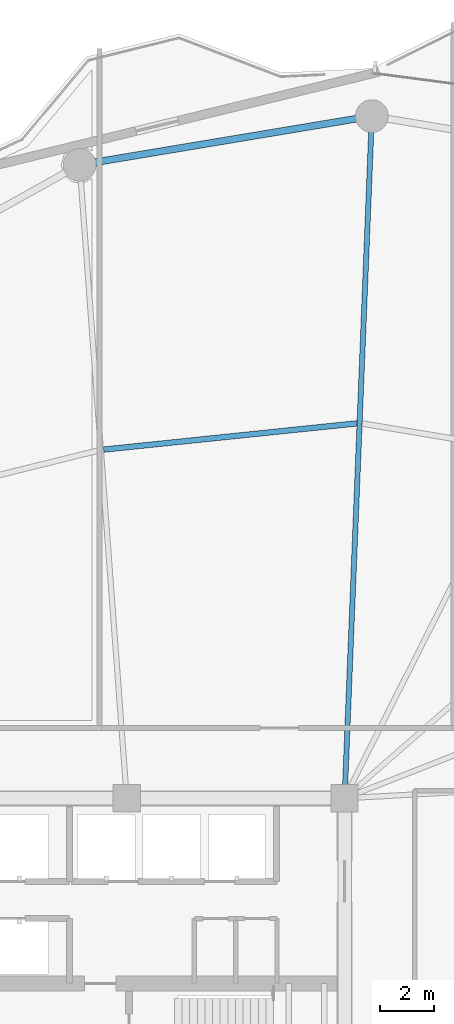
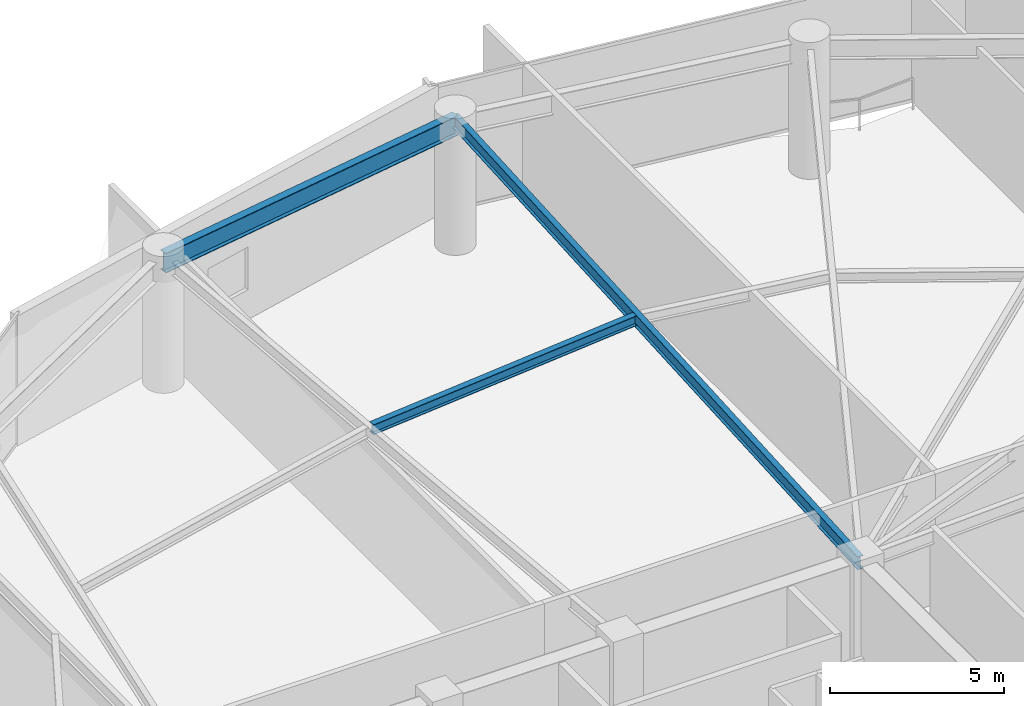
# One storey, part 19 of 30: 3 beams.
"""IFC4 building model written with IfcOpenShell, lengths in metres."""

from ifc_helpers import new_model, si_unit, direction, frame, origin, origin_2d, place, context, subcontext, project, spatial, i_section, extrude, material, material_profile, profile_set, type_object, element, save


model = new_model("IFC4")

# Units and contexts
model_context = context("Model", 3, precision=1e-05, world=origin(), true_north=direction((0.0, 1.0)))
body_context = subcontext(model_context, "Body", "Model", "MODEL_VIEW")
ifc_project = project(units=[si_unit("LENGTHUNIT", "METRE"), si_unit("AREAUNIT", "SQUARE_METRE"), si_unit("VOLUMEUNIT", "CUBIC_METRE"), si_unit("PLANEANGLEUNIT", "RADIAN"), si_unit("MASSUNIT", "GRAM", prefix="KILO")], contexts=[model_context])

# Site, building, storey
site_placement = place(None, origin())
site = spatial("IfcSite", under=ifc_project, at=site_placement, CompositionType="ELEMENT")
building_placement = place(site_placement, origin())
building = spatial("IfcBuilding", under=site, at=building_placement, Name="Kazevale Care Tower and Concert Hall", CompositionType="ELEMENT")
storey_placement = place(building_placement, frame((0.0, 0.0, 97.800048828125)))
storey = spatial("IfcBuildingStorey", under=building, at=storey_placement, Name="L25", CompositionType="ELEMENT", Elevation=97.800048828125)

# Beams
ifc_material = material(Name="Steel ASTM A572 Gr 50", Category="steel")
ifc_material_profile_1 = material_profile(ifc_material, i_section(OverallWidth=0.19091796875, OverallDepth=0.4599609375, WebThickness=0.010009765625, FlangeThickness=0.01611328125, at=origin_2d()), Name="W460x82")
ifc_profile_set_1 = profile_set([ifc_material_profile_1], Name="Steel ASTM A572 Gr 50")
beam_type_1 = type_object("IfcBeamType", Name="Radial Floor Beam W460x82", PredefinedType="BEAM", material=ifc_profile_set_1)
beam_1_placement = place(storey_placement, frame((44.0, 36.39990234375, 4.329833984375), z_axis=(0.039888311255, 0.99920414462, 0.0), x_axis=(-0.99920414462, 0.039888311255, 0.0)))
element("IfcBeam", 1, at=beam_1_placement, inside=storey, type_object=beam_type_1, Name="beam:L25:rad:05", PredefinedType="BEAM", context=body_context, shape_type="SweptSolid", body=[
    extrude(i_section(OverallWidth=0.19091796875, OverallDepth=0.4599609375, WebThickness=0.010009765625, FlangeThickness=0.01611328125, at=origin_2d()), origin(), (0.0, 0.0, 1.0), 25.070068359375),
])
ifc_material_profile_2 = material_profile(ifc_material, i_section(OverallWidth=0.205078125, OverallDepth=0.35400390625, WebThickness=0.009521484375, FlangeThickness=0.016845703125, at=origin_2d()), Name="W360x79")
ifc_profile_set_2 = profile_set([ifc_material_profile_2], Name="Steel ASTM A572 Gr 50")
beam_type_2 = type_object("IfcBeamType", Name="Secondary Floor Joist W360x79", PredefinedType="JOIST", material=ifc_profile_set_2)
beam_2_placement = place(storey_placement, frame((44.446044921875, 50.1669921875, 4.383056640625), z_axis=(-0.994674810104, -0.10306319491, 0.0), x_axis=(0.10306319491, -0.994674810104, 0.0)))
element("IfcBeam", 2, at=beam_2_placement, inside=storey, type_object=beam_type_2, Name="beam:L25:joist:05", PredefinedType="JOIST", context=body_context, shape_type="SweptSolid", body=[
    extrude(i_section(OverallWidth=0.205078125, OverallDepth=0.35400390625, WebThickness=0.009521484375, FlangeThickness=0.016845703125, at=origin_2d()), origin(), (0.0, 0.0, 1.0), 9.3427734375),
])
ifc_material_profile_3 = material_profile(ifc_material, i_section(OverallWidth=0.256103515625, OverallDepth=0.693115234375, WebThickness=0.014404296875, FlangeThickness=0.023681640625, at=origin_2d()), Name="W690x170")
ifc_profile_set_3 = profile_set([ifc_material_profile_3], Name="Steel ASTM A572 Gr 50")
beam_type_3 = type_object("IfcBeamType", Name="Waist Ring Beam W690x170", PredefinedType="BEAM", material=ifc_profile_set_3)
beam_3_placement = place(storey_placement, frame((45.0, 61.449951171875, 4.21337890625), z_axis=(-0.986368436187, -0.164551840139, 0.0), x_axis=(0.164551840139, -0.986368436187, 0.0)))
element("IfcBeam", 3, at=beam_3_placement, inside=storey, type_object=beam_type_3, Name="beam:L25:ring:05", PredefinedType="BEAM", context=body_context, shape_type="SweptSolid", body=[
    extrude(i_section(OverallWidth=0.256103515625, OverallDepth=0.693115234375, WebThickness=0.014404296875, FlangeThickness=0.023681640625, at=origin_2d()), origin(), (0.0, 0.0, 1.0), 10.878173828125),
])

save(model, "model.ifc")
